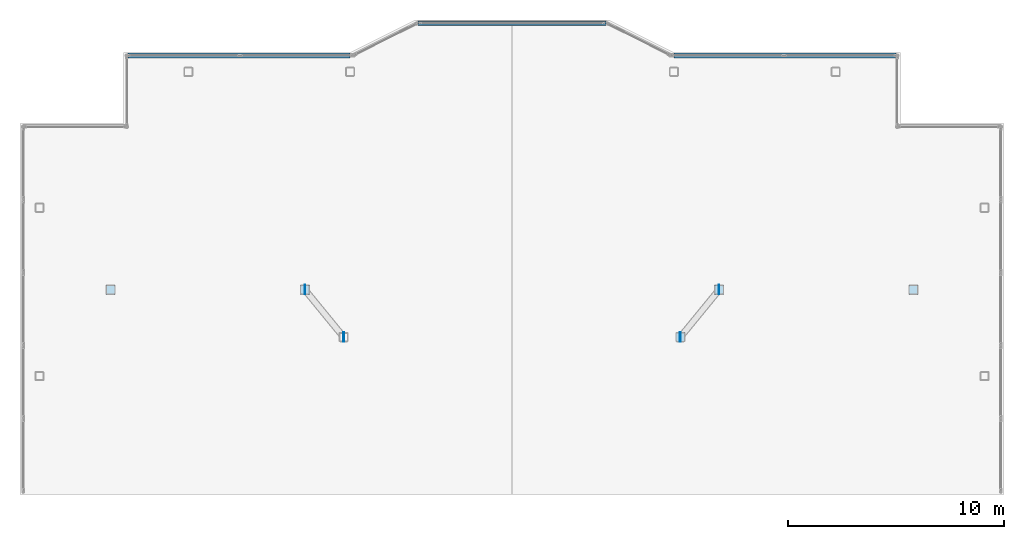
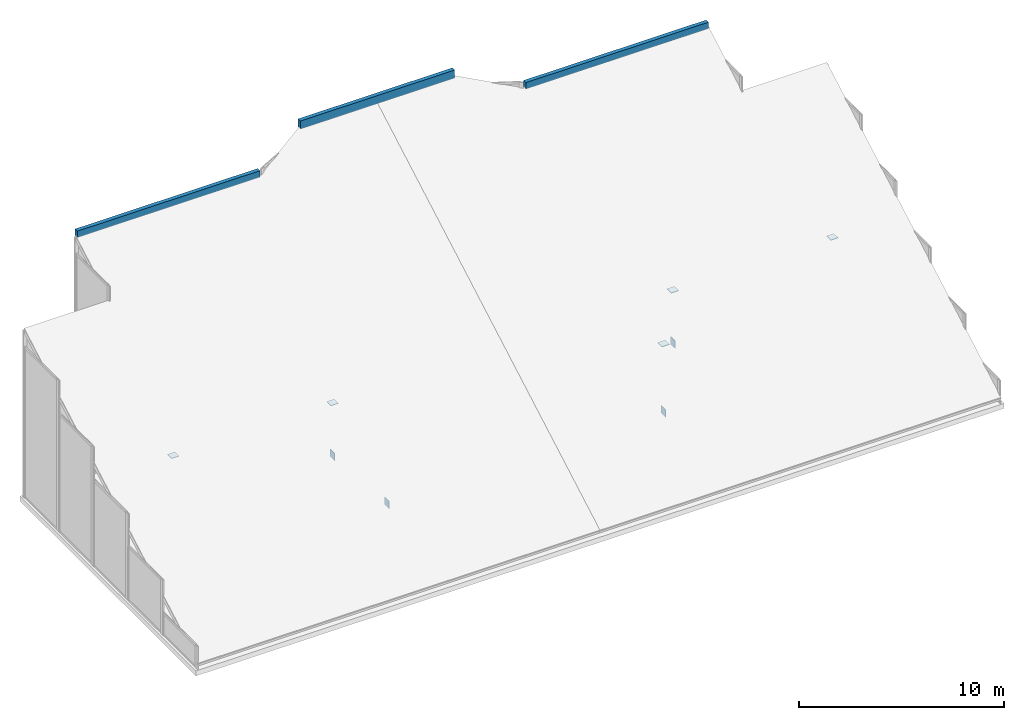
# One storey, part 9 of 11: 9 plates, 3 walls.
"""IFC4 building model written with IfcOpenShell, lengths in metres."""

from ifc_helpers import new_model, si_unit, direction, frame, frame_2d, origin, origin_2d, place, context, subcontext, project, spatial, rectangle, extrude, material, layer, layer_set, type_object, element, save


model = new_model("IFC4")

# Units and contexts
model_context = context("Model", 3, precision=1e-05, world=origin(), true_north=direction((0.0, 1.0)))
body_context = subcontext(model_context, "Body", "Model", "MODEL_VIEW")
ifc_project = project(units=[si_unit("LENGTHUNIT", "METRE"), si_unit("AREAUNIT", "SQUARE_METRE"), si_unit("VOLUMEUNIT", "CUBIC_METRE"), si_unit("PLANEANGLEUNIT", "RADIAN"), si_unit("MASSUNIT", "GRAM", prefix="KILO")], contexts=[model_context])

# Site, building, storey
site_placement = place(None, origin())
site = spatial("IfcSite", under=ifc_project, at=site_placement, CompositionType="ELEMENT")
building_placement = place(site_placement, origin())
building = spatial("IfcBuilding", under=site, at=building_placement, Name="Tarnavaz Court Tower", CompositionType="ELEMENT")
storey_placement = place(building_placement, frame((0.0, 0.0, 304.050048828125)))
storey = spatial("IfcBuildingStorey", under=building, at=storey_placement, Name="C06", CompositionType="ELEMENT", Elevation=304.050048828125)

# Plates
ifc_material_1 = material(Name="Steel S355", Category="steel")
ifc_layer_1 = layer(ifc_material_1, 0.02490234375)
ifc_layer_set_1 = layer_set([ifc_layer_1], Name="Steel S355")
plate_type_1 = type_object("IfcPlateType", Name="PL-CAP-25", PredefinedType="USERDEFINED", material=ifc_layer_set_1)
for number, where, z_axis, x_axis, name in (
    (1, (7.800048828125, 7.800048828125, 4.376220703125), (0.0, 0.0, 1.0), (1.0, 0.0, 0.0), "C06 Crown Column Top Cap Plate IW-NE"),
    (2, (-9.60009765625, 10.0, 5.62060546875), (0.0, 0.0, 1.0), (1.0, 0.0, 0.0), "C06 Crown Column Top Cap Plate CW-NI"),
    (3, (9.60009765625, 10.0, 5.62060546875), (0.0, 0.0, 1.0), (1.0, 0.0, 0.0), "C06 Crown Column Top Cap Plate CE-NI"),
    (4, (-18.60009765625, 10.0, 5.62060546875), (0.0, 0.0, 1.0), (1.0, 0.0, 0.0), "C06 Crown Column Top Cap Plate CW-NO"),
    (5, (18.60009765625, 10.0, 5.62060546875), (0.0, 0.0, 1.0), (1.0, 0.0, 0.0), "C06 Crown Column Top Cap Plate CE-NO"),
):
    element("IfcPlate", number, at=place(storey_placement, frame(where, z_axis=z_axis, x_axis=x_axis)), inside=storey, type_object=plate_type_1, Name=name, ObjectType="CAP PLATE", PredefinedType="USERDEFINED", context=body_context, shape_type="SweptSolid", body=[
        extrude(rectangle(XDim=0.419921875, YDim=0.419921875, at=origin_2d()), origin(), (0.0, 0.0, 1.0), 0.02490234375),
    ])
ifc_layer_2 = layer(ifc_material_1, 0.030029296875)
ifc_layer_set_2 = layer_set([ifc_layer_2], Name="Steel S355")
plate_type_2 = type_object("IfcPlateType", Name="PL-GUSSET-30", PredefinedType="USERDEFINED", material=ifc_layer_set_2)
for number, where, z_axis, x_axis, name in (
    (6, (-7.800048828125, 7.800048828125, 0.1298828125), (0.0, 0.0, 1.0), (0.0, 1.0, 0.0), "C06 Structural Brace & Strut End Gusset Plate 171"),
    (7, (-9.60009765625, 10.0, 2.280029296875), (0.0, 0.0, 1.0), (0.0, 1.0, 0.0), "C06 Structural Brace & Strut End Gusset Plate 172"),
    (8, (7.800048828125, 7.800048828125, 0.1298828125), (0.0, 0.0, 1.0), (0.0, 1.0, 0.0), "C06 Structural Brace & Strut End Gusset Plate 173"),
    (9, (9.60009765625, 10.0, 2.280029296875), (0.0, 0.0, 1.0), (0.0, 1.0, 0.0), "C06 Structural Brace & Strut End Gusset Plate 174"),
):
    element("IfcPlate", number, at=place(storey_placement, frame(where, z_axis=z_axis, x_axis=x_axis)), inside=storey, type_object=plate_type_2, Name=name, ObjectType="GUSSET PLATE", PredefinedType="USERDEFINED", context=body_context, shape_type="SweptSolid", body=[
        extrude(rectangle(XDim=0.43994140625, YDim=0.030029296875, at=origin_2d()), origin(), (0.0, 0.0, 1.0), 0.43994140625),
    ])

# Walls
ifc_material_2 = material(Name="Precast Concrete C40/50", Category="concrete")
ifc_layer_3 = layer(ifc_material_2, 0.219970703125)
ifc_layer_set_3 = layer_set([ifc_layer_3], Name="Precast Concrete C40/50")
wall_type = type_object("IfcWallType", Name="WL-PARAPET-220", PredefinedType="PARAPET", material=ifc_layer_set_3)
wall_placement = place(storey_placement, frame((-4.35009765625, 22.35009765625, 12.675048828125), z_axis=(0.0, 0.0, 1.0), x_axis=(1.0, 0.0, 0.0)))
element("IfcWall", 10, at=wall_placement, inside=storey, type_object=wall_type, Name="C06 Slanted Crown North Cap Parapet", PredefinedType="PARAPET", context=body_context, shape_type="SweptSolid", body=[
    extrude(rectangle(XDim=8.7001953125, YDim=0.219970703125, at=frame_2d((4.35009765625, 0.0))), origin(), (0.0, 0.0, 1.0), 0.489990234375),
])
for number, where, z_axis, x_axis, name in (
    (11, (-17.800048828125, 20.85009765625, 11.82666015625), (0.0, 0.0, 1.0), (1.0, 0.0, 0.0), "C06 Slanted Crown NW Wing Cap Parapet"),
    (12, (7.5, 20.85009765625, 11.82666015625), (0.0, 0.0, 1.0), (1.0, 0.0, 0.0), "C06 Slanted Crown NE Wing Cap Parapet"),
):
    element("IfcWall", number, at=place(storey_placement, frame(where, z_axis=z_axis, x_axis=x_axis)), inside=storey, type_object=wall_type, Name=name, PredefinedType="PARAPET", context=body_context, shape_type="SweptSolid", body=[
        extrude(rectangle(XDim=10.300048828125, YDim=0.219970703125, at=frame_2d((5.14990234375, 0.0))), origin(), (0.0, 0.0, 1.0), 0.39013671875),
    ])

save(model, "model.ifc")
